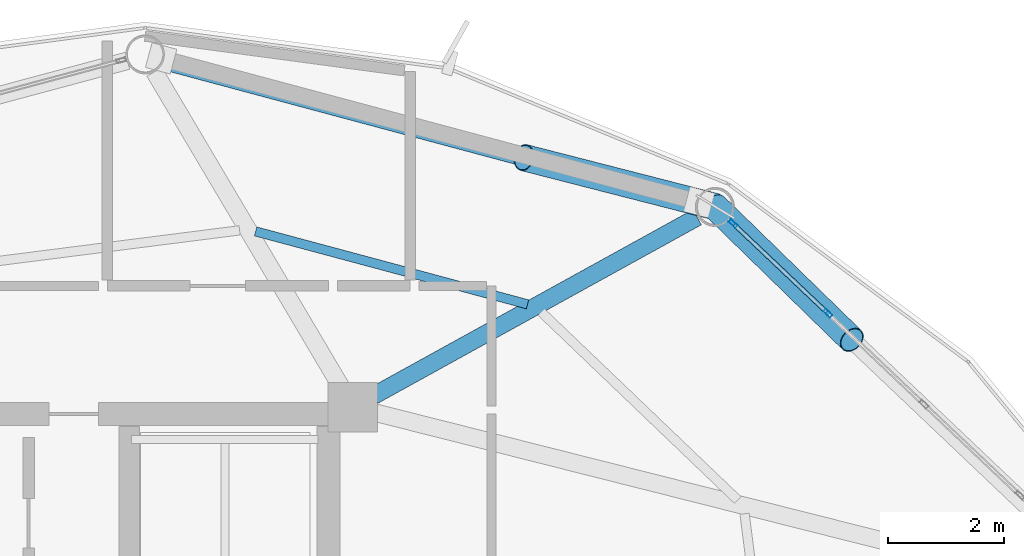
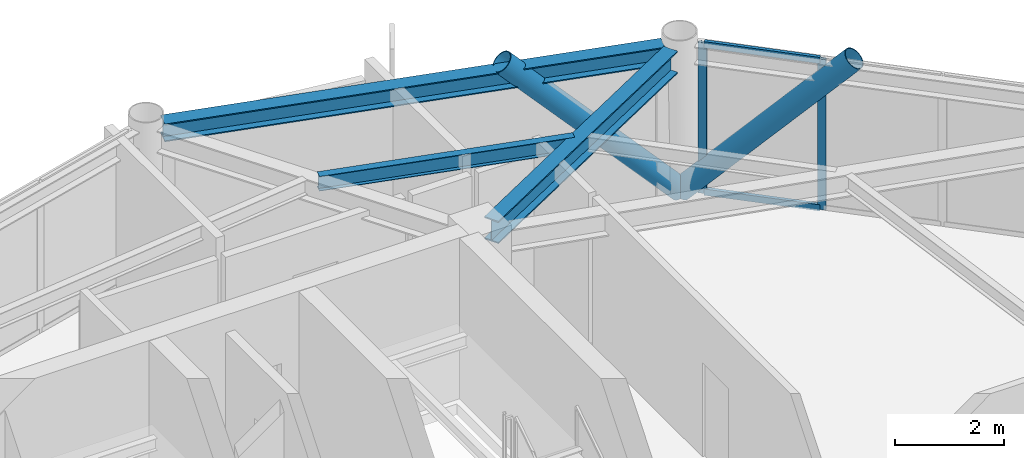
# One storey, part 22 of 29: 6 members, 3 beams, 1 element without a shape of its own.
"""IFC4 building model written with IfcOpenShell, lengths in metres."""

from ifc_helpers import new_model, si_unit, direction, frame, origin, origin_2d, place, context, subcontext, project, spatial, hollow_rectangle, hollow_circle, i_section, extrude, material, layer, layer_set, material_profile, profile_set, type_object, element, aggregate, save


model = new_model("IFC4")

# Units and contexts
model_context = context("Model", 3, precision=1e-05, world=origin(), true_north=direction((0.0, 1.0)))
body_context = subcontext(model_context, "Body", "Model", "MODEL_VIEW")
ifc_project = project(units=[si_unit("LENGTHUNIT", "METRE"), si_unit("AREAUNIT", "SQUARE_METRE"), si_unit("VOLUMEUNIT", "CUBIC_METRE"), si_unit("PLANEANGLEUNIT", "RADIAN"), si_unit("MASSUNIT", "GRAM", prefix="KILO")], contexts=[model_context])

# Site, building, storey
site_placement = place(None, origin())
site = spatial("IfcSite", under=ifc_project, at=site_placement, CompositionType="ELEMENT")
building_placement = place(site_placement, origin())
building = spatial("IfcBuilding", under=site, at=building_placement, Name="Varnakorn Sky Granary", CompositionType="ELEMENT")
storey_placement = place(building_placement, frame((0.0, 0.0, 182.39990234375)))
storey = spatial("IfcBuildingStorey", under=building, at=storey_placement, Name="L45", CompositionType="ELEMENT", Elevation=182.39990234375)

# Beams
ifc_material_1 = material(Name="Steel S355JR", Category="steel")
ifc_material_profile_1 = material_profile(ifc_material_1, i_section(OverallWidth=0.300048828125, OverallDepth=0.5, WebThickness=0.014404296875, FlangeThickness=0.028076171875, at=origin_2d()), Name="HE 500 B")
ifc_profile_set_1 = profile_set([ifc_material_profile_1], Name="Steel S355JR")
beam_type_1 = type_object("IfcBeamType", Name="BM-RAD-Z4", PredefinedType="BEAM", material=ifc_profile_set_1)
beam_1_placement = place(storey_placement, frame((8.774658203125, 12.815673828125, 3.110107421875), z_axis=(0.875585541026, 0.483063101826, 0.0), x_axis=(-0.483063101826, 0.875585541026, 0.0)))
element("IfcBeam", 1, at=beam_1_placement, inside=storey, type_object=beam_type_1, Name="Radial Floor Girder RG03 L45", PredefinedType="BEAM", context=body_context, shape_type="SweptSolid", body=[
    extrude(i_section(OverallWidth=0.300048828125, OverallDepth=0.5, WebThickness=0.014404296875, FlangeThickness=0.028076171875, at=origin_2d()), origin(), (0.0, 0.0, 1.0), 6.3447265625),
])
ifc_material_profile_2 = material_profile(ifc_material_1, i_section(OverallWidth=0.159912109375, OverallDepth=0.330078125, WebThickness=0.007568359375, FlangeThickness=0.011474609375, at=origin_2d()), Name="IPE 330")
ifc_profile_set_2 = profile_set([ifc_material_profile_2], Name="Steel S355JR")
beam_type_2 = type_object("IfcBeamType", Name="BM-SEC-Z4", PredefinedType="BEAM", material=ifc_profile_set_2)
beam_2_placement = place(storey_placement, frame((11.417236328125, 14.38427734375, 3.195068359375), z_axis=(-0.965879508312, 0.258991844319, 0.0), x_axis=(-0.258991844319, -0.965879508312, 0.0)))
element("IfcBeam", 2, at=beam_2_placement, inside=storey, type_object=beam_type_2, Name="Secondary Floor Chord Beam MSB03 L45", PredefinedType="BEAM", context=body_context, shape_type="SweptSolid", body=[
    extrude(i_section(OverallWidth=0.159912109375, OverallDepth=0.330078125, WebThickness=0.007568359375, FlangeThickness=0.011474609375, at=origin_2d()), origin(), (0.0, 0.0, 1.0), 4.8349609375),
])
ifc_material_profile_3 = material_profile(ifc_material_1, i_section(OverallWidth=0.300048828125, OverallDepth=0.39990234375, WebThickness=0.013427734375, FlangeThickness=0.02392578125, at=origin_2d()), Name="HE 400 B")
ifc_profile_set_3 = profile_set([ifc_material_profile_3], Name="Steel S355JR")
beam_type_3 = type_object("IfcBeamType", Name="BM-SPD-Z4", PredefinedType="SPANDREL", material=ifc_profile_set_3)
beam_3_placement = place(storey_placement, frame((14.3017578125, 16.1142578125, 3.16015625), z_axis=(-0.965896949724, 0.258926789875, 0.0), x_axis=(-0.258926789875, -0.965896949724, 0.0)))
element("IfcBeam", 3, at=beam_3_placement, inside=storey, type_object=beam_type_3, Name="Perimeter Spandrel Ring Beam RB03 L45", PredefinedType="SPANDREL", context=body_context, shape_type="SweptSolid", body=[
    extrude(i_section(OverallWidth=0.300048828125, OverallDepth=0.39990234375, WebThickness=0.013427734375, FlangeThickness=0.02392578125, at=origin_2d()), origin(), (0.0, 0.0, 1.0), 9.470458984375),
])

# Curtain wall, members
ifc_material_2 = material(Name="Anodised Bronze Aluminium Alloy 6063-T6", Category="aluminium")
ifc_layer = layer(ifc_material_2, 0.169921875, Name="Anodised Bronze Aluminium Alloy 6063-T6")
ifc_layer_set = layer_set([ifc_layer], Name="Anodised Bronze Aluminium Alloy 6063-T6")
curtain_wall_type = type_object("IfcCurtainWallType", Name="CW-LAB-1", PredefinedType="USERDEFINED", material=ifc_layer_set)
curtain_wall_placement = place(storey_placement, origin())
curtain_wall = element("IfcCurtainWall", 4, at=curtain_wall_placement, inside=storey, type_object=curtain_wall_type, Name="Unitised Curtain Wall CW5 CW-L45-B02", ObjectType="CURTAIN WALL", PredefinedType="USERDEFINED")
ifc_material_profile_4 = material_profile(ifc_material_2, hollow_rectangle(XDim=0.06494140625, YDim=0.159912109375, WallThickness=0.00341796875, at=origin_2d()), Name="ALU MULL 65x160")
ifc_profile_set_4 = profile_set([ifc_material_profile_4], Name="Anodised Bronze Aluminium Alloy 6063-T6")
member_type_1 = type_object("IfcMemberType", Name="CW-LAB-1-MULL", PredefinedType="MULLION", material=ifc_profile_set_4)
member_1_placement = place(storey_placement, frame((14.94677734375, 15.771728515625, 0.0), z_axis=(0.0, 0.0, 1.0), x_axis=(0.687692477005, 0.726002105418, 0.0)))
member_1 = element("IfcMember", 5, at=member_1_placement, type_object=member_type_1, Name="CW5 mullion 1", PredefinedType="MULLION", context=body_context, shape_type="SweptSolid", body=[
    extrude(hollow_rectangle(XDim=0.06494140625, YDim=0.159912109375, WallThickness=0.00341796875, at=origin_2d()), origin(), (0.0, 0.0, 1.0), 3.360107421875),
])
member_2_placement = place(storey_placement, frame((16.5732421875, 14.23095703125, 0.0), z_axis=(0.0, 0.0, 1.0), x_axis=(0.687692477005, 0.726002105418, 0.0)))
member_2 = element("IfcMember", 6, at=member_2_placement, type_object=member_type_1, Name="CW5 mullion 2", PredefinedType="MULLION", context=body_context, shape_type="SweptSolid", body=[
    extrude(hollow_rectangle(XDim=0.06494140625, YDim=0.159912109375, WallThickness=0.00341796875, at=origin_2d()), origin(), (0.0, 0.0, 1.0), 3.360107421875),
])
ifc_material_profile_5 = material_profile(ifc_material_2, hollow_rectangle(XDim=0.070068359375, YDim=0.139892578125, WallThickness=0.00341796875, at=origin_2d()), Name="ALU TRAN 70x140")
ifc_profile_set_5 = profile_set([ifc_material_profile_5], Name="Anodised Bronze Aluminium Alloy 6063-T6")
member_type_2 = type_object("IfcMemberType", Name="CW-LAB-1-TRAN", PredefinedType="USERDEFINED", material=ifc_profile_set_5)
member_3_placement = place(storey_placement, frame((14.97021484375, 15.749267578125, 0.03515625), z_axis=(0.725982172965, -0.687713519234, 0.0), x_axis=(0.687713519234, 0.725982172965, 0.0)))
member_3 = element("IfcMember", 7, at=member_3_placement, type_object=member_type_2, Name="CW5 transom 1.1", ObjectType="TRANSOM", PredefinedType="USERDEFINED", context=body_context, shape_type="SweptSolid", body=[
    extrude(hollow_rectangle(XDim=0.070068359375, YDim=0.139892578125, WallThickness=0.00341796875, at=origin_2d()), origin(), (0.0, 0.0, 1.0), 2.175537109375),
])
member_4_placement = place(storey_placement, frame((14.97021484375, 15.749267578125, 3.3251953125), z_axis=(0.725982172965, -0.687713519234, 0.0), x_axis=(0.687713519234, 0.725982172965, 0.0)))
member_4 = element("IfcMember", 8, at=member_4_placement, type_object=member_type_2, Name="CW5 transom 1.2", ObjectType="TRANSOM", PredefinedType="USERDEFINED", context=body_context, shape_type="SweptSolid", body=[
    extrude(hollow_rectangle(XDim=0.070068359375, YDim=0.139892578125, WallThickness=0.00341796875, at=origin_2d()), origin(), (0.0, 0.0, 1.0), 2.175537109375),
])
aggregate(curtain_wall, [member_1, member_2, member_3, member_4])

# Members
ifc_material_3 = material(Name="Steel S460M", Category="steel")
ifc_material_profile_6 = material_profile(ifc_material_3, hollow_circle(Radius=0.228515625, WallThickness=0.01611328125, at=origin_2d()), Name="CHS 457x16")
ifc_profile_set_6 = profile_set([ifc_material_profile_6], Name="Steel S460M")
member_type_3 = type_object("IfcMemberType", Name="MB-DIAG-T3", PredefinedType="BRACE", material=ifc_profile_set_6)
member_5_placement = place(storey_placement, frame((14.639892578125, 16.062255859375, 0.0), z_axis=(0.490133485557, -0.477946437799, 0.728928233046), x_axis=(0.698149775341, 0.715951738032, 0.0)))
element("IfcMember", 9, at=member_5_placement, inside=storey, type_object=member_type_3, Name="Perimeter CHS Diagrid Brace DG02 L45", PredefinedType="BRACE", context=body_context, shape_type="SweptSolid", body=[
    extrude(hollow_circle(Radius=0.228515625, WallThickness=0.01611328125, at=origin_2d()), origin(), (0.0, 0.0, 1.0), 4.787841796875),
])
member_6_placement = place(storey_placement, frame((14.639892578125, 16.062255859375, 0.0), z_axis=(-0.675152729438, 0.173064634561, 0.71708955103), x_axis=(-0.248306085269, -0.968681623661, 0.0)))
element("IfcMember", 10, at=member_6_placement, inside=storey, type_object=member_type_3, Name="Perimeter CHS Diagrid Brace DG03 L45", PredefinedType="BRACE", context=body_context, shape_type="SweptSolid", body=[
    extrude(hollow_circle(Radius=0.228515625, WallThickness=0.01611328125, at=origin_2d()), origin(), (0.0, 0.0, 1.0), 4.866943359375),
])

save(model, "model.ifc")
